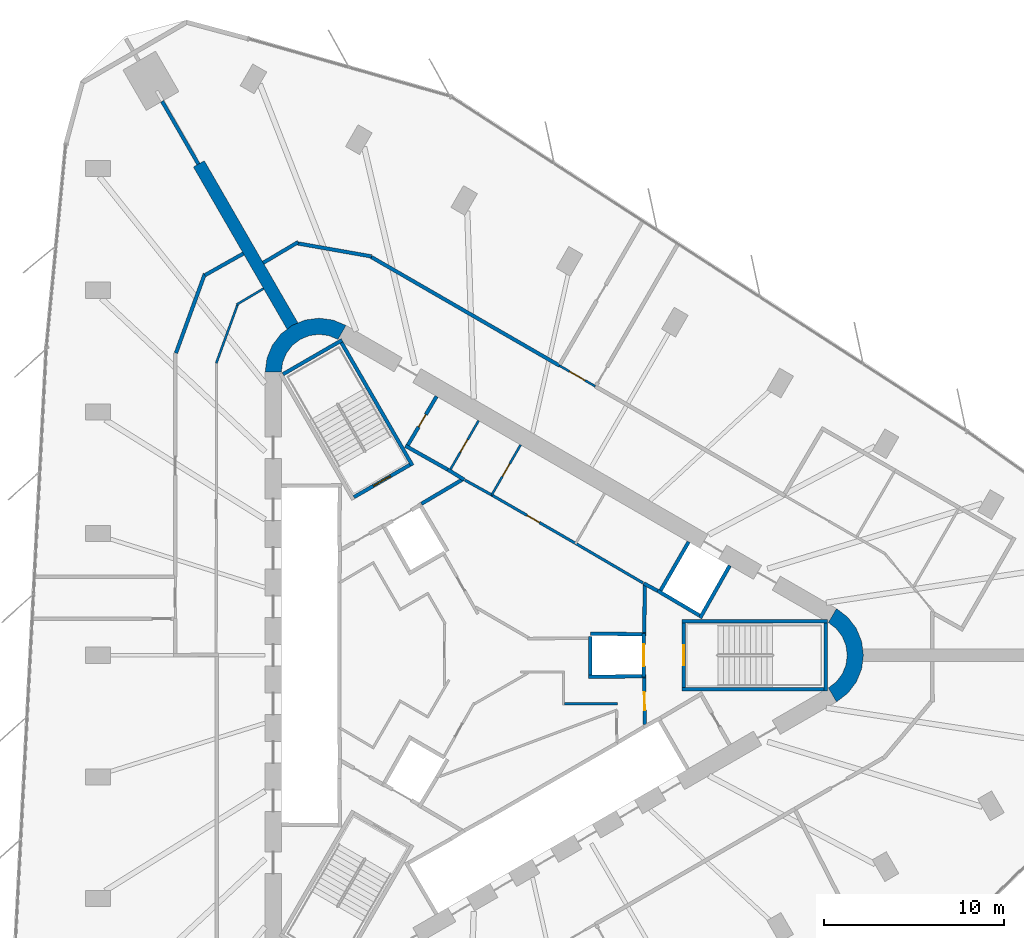
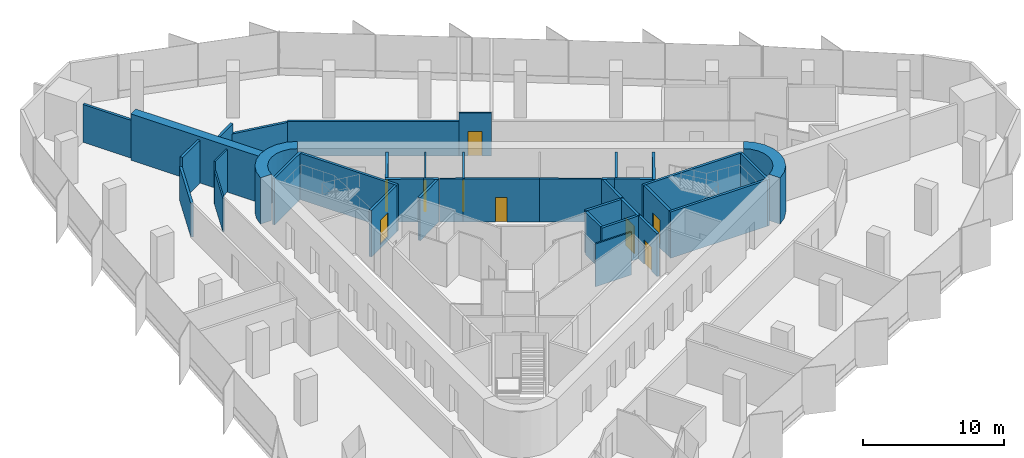
# One storey, part 11 of 14: 39 walls, 9 doors, 9 openings.
"""IFC4 building model written with IfcOpenShell, lengths in metres."""

from ifc_helpers import new_model, si_unit, direction, frame, frame_2d, origin, place, context, subcontext, project, spatial, polyline, rectangle, outline, extrude, material, layer, layer_set, type_object, element, fill, save


model = new_model("IFC4")

# Units and contexts
model_context = context("Model", 3, precision=1e-05, world=origin(), true_north=direction((0.0, 1.0)))
body_context = subcontext(model_context, "Body", "Model", "MODEL_VIEW")
ifc_project = project(units=[si_unit("LENGTHUNIT", "METRE"), si_unit("AREAUNIT", "SQUARE_METRE"), si_unit("VOLUMEUNIT", "CUBIC_METRE"), si_unit("PLANEANGLEUNIT", "RADIAN"), si_unit("MASSUNIT", "GRAM", prefix="KILO")], contexts=[model_context])

# Site, building, storey
site_placement = place(None, origin())
site = spatial("IfcSite", under=ifc_project, at=site_placement, CompositionType="ELEMENT")
building_placement = place(site_placement, origin())
building = spatial("IfcBuilding", under=site, at=building_placement, Name="Tanit Gate Tower", CompositionType="ELEMENT")
storey_placement = place(building_placement, frame((0.0, 0.0, 253.199951171875)))
storey = spatial("IfcBuildingStorey", under=building, at=storey_placement, Name="L57", CompositionType="ELEMENT", Elevation=253.199951171875)

# Walls
ifc_material_1 = material(Name="Concrete C50/60", Category="concrete")
ifc_layer_1 = layer(ifc_material_1, 0.699951171875)
ifc_layer_set_1 = layer_set([ifc_layer_1], Name="BUTTRESS FIN 700 C50/60")
wall_type_1 = type_object("IfcWallType", Name="BUTTRESS FIN 700 C50/60", PredefinedType="SHEAR", material=ifc_layer_set_1)
wall_1_placement = place(storey_placement, frame((-10.574951171875, 18.31640625, 0.0), z_axis=(0.0, 0.0, 1.0), x_axis=(-0.500010108608, 0.866019567498, 0.0)))
element("IfcWall", 1, at=wall_1_placement, inside=storey, type_object=wall_type_1, Name="BUTTRESS FIN", PredefinedType="SHEAR", context=body_context, shape_type="SweptSolid", body=[
    extrude(rectangle(XDim=10.432373046875, YDim=0.699951171875, at=frame_2d((5.21630859375, 0.0))), origin(), (0.0, 0.0, 1.0), 4.0),
])
ifc_material_2 = material(Name="Concrete C50/60", Category="concrete")
ifc_layer_2 = layer(ifc_material_2, 0.89990234375)
ifc_layer_set_2 = layer_set([ifc_layer_2], Name="CORE WALL 900 C50/60")
wall_type_2 = type_object("IfcWallType", Name="CORE WALL 900 C50/60", PredefinedType="SHEAR", material=ifc_layer_set_2)
wall_2_placement = place(storey_placement, origin())
element("IfcWall", 2, at=wall_2_placement, inside=storey, type_object=wall_type_2, Name="CORE WALL CORNER", PredefinedType="SHEAR", context=body_context, shape_type="SweptSolid", body=[
    extrude(outline(polyline([(-7.60009765625, 18.359619140625), (-8.323486328125, 18.659423828125), (-9.10009765625, 18.76171875), (-9.87646484375, 18.659423828125), (-10.60009765625, 18.359619140625), (-11.22119140625, 17.883056640625), (-11.697998046875, 17.26171875), (-11.997802734375, 16.5380859375), (-12.10009765625, 15.76171875), (-11.199951171875, 15.76171875), (-11.12841796875, 16.30517578125), (-10.918701171875, 16.811767578125), (-10.5849609375, 17.24658203125), (-10.14990234375, 17.580322265625), (-9.6435546875, 17.7900390625), (-9.10009765625, 17.86181640625), (-8.556396484375, 17.7900390625), (-8.050048828125, 17.580322265625), (-7.60009765625, 18.359619140625)])), origin(), (0.0, 0.0, 1.0), 4.0),
])
wall_3_placement = place(storey_placement, origin())
element("IfcWall", 3, at=wall_3_placement, inside=storey, type_object=wall_type_2, Name="CORE WALL CORNER", PredefinedType="SHEAR", context=body_context, shape_type="SweptSolid", body=[
    extrude(outline(polyline([(19.699951171875, -2.59814453125), (20.3212890625, -2.121337890625), (20.798095703125, -1.5), (21.097900390625, -0.776611328125), (21.199951171875, 0.0), (21.097900390625, 0.776611328125), (20.798095703125, 1.5), (20.3212890625, 2.121337890625), (19.699951171875, 2.59814453125), (19.25, 1.818603515625), (19.684814453125, 1.48486328125), (20.018798828125, 1.050048828125), (20.228515625, 0.54345703125), (20.300048828125, 0.0), (20.228515625, -0.54345703125), (20.018798828125, -1.050048828125), (19.684814453125, -1.48486328125), (19.25, -1.818603515625), (19.699951171875, -2.59814453125)])), origin(), (0.0, 0.0, 1.0), 4.0),
])
ifc_material_3 = material(Name="Fire-rated gypsum board partition")
ifc_layer_3 = layer(ifc_material_3, 0.199951171875)
ifc_layer_set_3 = layer_set([ifc_layer_3], Name="INT-WALL-COMPARTMENT")
wall_type_3 = type_object("IfcWallType", Name="INT-WALL-COMPARTMENT", PredefinedType="PARTITIONING", material=ifc_layer_set_3)
wall_4_placement = place(storey_placement, frame((8.97412109375, 3.998779296875, 0.0), z_axis=(0.0, 0.0, 1.0), x_axis=(0.880917147855, -0.473270513147, 0.0)))
element("IfcWall", 4, at=wall_4_placement, inside=storey, type_object=wall_type_3, Name="Wall Compartment W051", PredefinedType="PARTITIONING", context=body_context, shape_type="SweptSolid", body=[
    extrude(rectangle(XDim=0.8779296875, YDim=0.199951171875, at=frame_2d((0.43896484375, 0.0))), origin(), (0.0, 0.0, 1.0), 3.699951171875),
])
wall_5_placement = place(storey_placement, frame((-1.940673828125, 10.338623046875, 0.0), z_axis=(0.0, 0.0, 1.0), x_axis=(0.850216889117, -0.526432561171, 0.0)))
element("IfcWall", 5, at=wall_5_placement, inside=storey, type_object=wall_type_3, Name="Wall Compartment W056", PredefinedType="PARTITIONING", context=body_context, shape_type="SweptSolid", body=[
    extrude(rectangle(XDim=1.078369140625, YDim=0.199951171875, at=frame_2d((0.5390625, 0.0))), origin(), (0.0, 0.0, 1.0), 3.699951171875),
])
wall_6_placement = place(storey_placement, frame((-4.296142578125, 11.658935546875, 0.0), z_axis=(0.0, 0.0, 1.0), x_axis=(0.871534483978, -0.490334215854, 0.0)))
element("IfcWall", 6, at=wall_6_placement, inside=storey, type_object=wall_type_3, Name="Wall Compartment W058", PredefinedType="PARTITIONING", context=body_context, shape_type="SweptSolid", body=[
    extrude(rectangle(XDim=2.7001953125, YDim=0.199951171875, at=frame_2d((1.35009765625, 0.0))), origin(), (0.0, 0.0, 1.0), 3.699951171875),
])

# Wall, opening, door
wall_7_placement = place(storey_placement, frame((-2.557861328125, 14.409423828125, 0.0), z_axis=(0.0, 0.0, 1.0), x_axis=(-0.508018930956, -0.861345903683, 0.0)))
wall_7 = element("IfcWall", 7, at=wall_7_placement, inside=storey, type_object=wall_type_3, Name="Wall Compartment W059", PredefinedType="PARTITIONING", context=body_context, shape_type="SweptSolid", body=[
    extrude(rectangle(XDim=3.150146484375, YDim=0.199951171875, at=frame_2d((1.5751953125, 0.0))), origin(), (0.0, 0.0, 1.0), 3.699951171875),
])
opening_1_placement = place(wall_7_placement, frame((1.175048828125, 0.0, 0.0)))
opening_1 = element("IfcOpeningElement", 8, at=opening_1_placement, cuts=wall_7, Name="Opening R08-S16-16", PredefinedType="OPENING", context=body_context, shape_type="SweptSolid", body=[
    extrude(rectangle(XDim=0.800048828125, YDim=2.10009765625, at=frame_2d((0.39990234375, 1.050048828125))), frame((0.0, 0.10986328125, 0.0), z_axis=(0.0, -1.0, 0.0), x_axis=(1.0, 0.0, 0.0)), (0.0, 0.0, 1.0), 0.219970703125),
])
ifc_material_4 = material(Name="Timber door leaf", Category="wood")
door_type_1 = type_object("IfcDoorType", Name="INT-DOOR-RISER-800", OperationType="NOTDEFINED", PredefinedType="USERDEFINED", material=ifc_material_4)
door_1_placement = place(opening_1_placement, origin())
door_1 = element("IfcDoor", 9, at=door_1_placement, inside=storey, type_object=door_type_1, Name="Door R08-S16-16", ObjectType="FIRE DOOR", OperationType="SINGLE_SWING_LEFT", OverallHeight=2.10009765625, OverallWidth=0.800048828125, PredefinedType="USERDEFINED", context=body_context, shape_type="SweptSolid", body=[
    extrude(rectangle(XDim=0.800048828125, YDim=2.10009765625, at=frame_2d((0.39990234375, 1.050048828125))), frame((0.0, 0.02490234375, 0.0), z_axis=(0.0, -1.0, 0.0), x_axis=(1.0, 0.0, 0.0)), (0.0, 0.0, 1.0), 0.050048828125),
])
fill(opening_1, door_1)

# Wall
wall_8_placement = place(storey_placement, frame((9.0009765625, 1.27001953125, 0.0), z_axis=(0.0, 0.0, 1.0), x_axis=(0.01074821465, 0.999942236273, 0.0)))
element("IfcWall", 10, at=wall_8_placement, inside=storey, type_object=wall_type_3, Name="Wall Compartment W062", PredefinedType="PARTITIONING", context=body_context, shape_type="SweptSolid", body=[
    extrude(rectangle(XDim=2.725830078125, YDim=0.199951171875, at=frame_2d((1.36279296875, 0.0))), origin(), (0.0, 0.0, 1.0), 3.699951171875),
])

# Wall, opening, door
wall_9_placement = place(storey_placement, frame((9.02880859375, -3.850830078125, 0.0), z_axis=(0.0, 0.0, 1.0), x_axis=(-0.010783593937, 0.99994185536, 0.0)))
wall_9 = element("IfcWall", 11, at=wall_9_placement, inside=storey, type_object=wall_type_3, Name="Wall Compartment W063", PredefinedType="PARTITIONING", context=body_context, shape_type="SweptSolid", body=[
    extrude(rectangle(XDim=2.5810546875, YDim=0.199951171875, at=frame_2d((1.29052734375, 0.0))), origin(), (0.0, 0.0, 1.0), 3.699951171875),
])
opening_2_placement = place(wall_9_placement, frame((0.79052734375, 0.0, 0.0)))
opening_2 = element("IfcOpeningElement", 12, at=opening_2_placement, cuts=wall_9, Name="Opening F10-S16-02", PredefinedType="OPENING", context=body_context, shape_type="SweptSolid", body=[
    extrude(rectangle(XDim=1.0, YDim=2.10009765625, at=frame_2d((0.5, 1.050048828125))), frame((0.0, 0.10986328125, 0.0), z_axis=(0.0, -1.0, 0.0), x_axis=(1.0, 0.0, 0.0)), (0.0, 0.0, 1.0), 0.219970703125),
])
ifc_material_5 = material(Name="Fire-rated steel door leaf", Category="steel")
door_type_2 = type_object("IfcDoorType", Name="INT-DOOR-FIRE-1000", OperationType="NOTDEFINED", PredefinedType="USERDEFINED", material=ifc_material_5)
door_2_placement = place(opening_2_placement, origin())
door_2 = element("IfcDoor", 13, at=door_2_placement, inside=storey, type_object=door_type_2, Name="Door F10-S16-02", ObjectType="FIRE DOOR", OperationType="SINGLE_SWING_RIGHT", OverallHeight=2.10009765625, OverallWidth=1.0, PredefinedType="USERDEFINED", context=body_context, shape_type="SweptSolid", body=[
    extrude(rectangle(XDim=1.0, YDim=2.10009765625, at=frame_2d((0.5, 1.050048828125))), frame((0.0, 0.02490234375, 0.0), z_axis=(0.0, -1.0, 0.0), x_axis=(1.0, 0.0, 0.0)), (0.0, 0.0, 1.0), 0.050048828125),
])
fill(opening_2, door_2)

# Walls
wall_10_placement = place(storey_placement, frame((-1.0556640625, 9.81787109375, 0.0), z_axis=(0.0, 0.0, 1.0), x_axis=(-0.860599924646, -0.509281621207, 0.0)))
element("IfcWall", 14, at=wall_10_placement, inside=storey, type_object=wall_type_3, Name="Wall Compartment W064", PredefinedType="PARTITIONING", context=body_context, shape_type="SweptSolid", body=[
    extrude(rectangle(XDim=2.724853515625, YDim=0.199951171875, at=frame_2d((1.3623046875, 0.0))), origin(), (0.0, 0.0, 1.0), 3.699951171875),
])
wall_11_placement = place(storey_placement, frame((-15.456298828125, 21.238525390625, 0.0), z_axis=(0.0, 0.0, 1.0), x_axis=(-0.34205546997, -0.939679762187, 0.0)))
element("IfcWall", 15, at=wall_11_placement, inside=storey, type_object=wall_type_3, Name="Wall Compartment W094", PredefinedType="PARTITIONING", context=body_context, shape_type="SweptSolid", body=[
    extrude(rectangle(XDim=4.705810546875, YDim=0.199951171875, at=frame_2d((2.35302734375, 0.0))), origin(), (0.0, 0.0, 1.0), 2.880126953125),
])
wall_12_placement = place(storey_placement, frame((-13.31298828125, 22.35888671875, 0.0), z_axis=(0.0, 0.0, 1.0), x_axis=(-0.87121710687, -0.490897904555, 0.0)))
element("IfcWall", 16, at=wall_12_placement, inside=storey, type_object=wall_type_3, Name="Wall Compartment W095", PredefinedType="PARTITIONING", context=body_context, shape_type="SweptSolid", body=[
    extrude(rectangle(XDim=2.457275390625, YDim=0.199951171875, at=frame_2d((1.228515625, 0.0))), origin(), (0.0, 0.0, 1.0), 3.699951171875),
])
wall_13_placement = place(storey_placement, frame((-10.26513671875, 22.995849609375, 0.0), z_axis=(0.0, 0.0, 1.0), x_axis=(-0.859934823121, -0.510403859687, 0.0)))
element("IfcWall", 17, at=wall_13_placement, inside=storey, type_object=wall_type_3, Name="Wall Compartment W100", PredefinedType="PARTITIONING", context=body_context, shape_type="SweptSolid", body=[
    extrude(rectangle(XDim=2.25830078125, YDim=0.199951171875, at=frame_2d((1.129150390625, 0.0))), origin(), (0.0, 0.0, 1.0), 3.699951171875),
])
wall_14_placement = place(storey_placement, frame((-6.18115234375, 22.19873046875, 0.0), z_axis=(0.0, 0.0, 1.0), x_axis=(-0.984807544765, 0.17364935869, 0.0)))
element("IfcWall", 18, at=wall_14_placement, inside=storey, type_object=wall_type_3, Name="Wall Compartment W101", PredefinedType="PARTITIONING", context=body_context, shape_type="SweptSolid", body=[
    extrude(rectangle(XDim=4.199462890625, YDim=0.199951171875, at=frame_2d((2.099609375, 0.0))), origin(), (0.0, 0.0, 1.0), 2.880126953125),
])
wall_15_placement = place(storey_placement, frame((4.28271484375, 16.117919921875, 0.0), z_axis=(0.0, 0.0, 1.0), x_axis=(-0.866016186489, 0.500015964484, 0.0)))
element("IfcWall", 19, at=wall_15_placement, inside=storey, type_object=wall_type_3, Name="Wall Compartment W102", PredefinedType="PARTITIONING", context=body_context, shape_type="SweptSolid", body=[
    extrude(rectangle(XDim=12.09619140625, YDim=0.199951171875, at=frame_2d((6.048095703125, 0.0))), origin(), (0.0, 0.0, 1.0), 2.97998046875),
])
wall_16_placement = place(storey_placement, frame((-17.8359375, 30.832763671875, 0.0), z_axis=(0.0, 0.0, 1.0), x_axis=(0.500008591458, -0.866020443447, 0.0)))
element("IfcWall", 20, at=wall_16_placement, inside=storey, type_object=wall_type_3, Name="Wall Compartment W125", PredefinedType="PARTITIONING", context=body_context, shape_type="SweptSolid", body=[
    extrude(rectangle(XDim=4.03759765625, YDim=0.199951171875, at=frame_2d((2.018798828125, 0.0))), origin(), (0.0, 0.0, 1.0), 3.27001953125),
])

# Wall, opening, door
ifc_material_6 = material(Name="Gypsum board partition")
ifc_layer_4 = layer(ifc_material_6, 0.1201171875)
ifc_layer_set_4 = layer_set([ifc_layer_4], Name="INT-WALL-PARTITION")
wall_type_4 = type_object("IfcWallType", Name="INT-WALL-PARTITION", PredefinedType="PARTITIONING", material=ifc_layer_set_4)
wall_17_placement = place(storey_placement, frame((2.11865234375, 11.70947265625, 0.0), z_axis=(0.0, 0.0, 1.0), x_axis=(-0.500017246033, -0.866015446554, 0.0)))
wall_17 = element("IfcWall", 21, at=wall_17_placement, inside=storey, type_object=wall_type_4, Name="Wall Partition W053", PredefinedType="PARTITIONING", context=body_context, shape_type="SweptSolid", body=[
    extrude(rectangle(XDim=3.25, YDim=0.1201171875, at=frame_2d((1.625, 0.0))), origin(), (0.0, 0.0, 1.0), 3.699951171875),
])
opening_3_placement = place(wall_17_placement, frame((1.22509765625, 0.0, 0.0)))
opening_3 = element("IfcOpeningElement", 22, at=opening_3_placement, cuts=wall_17, Name="Opening R08-S16-15", PredefinedType="OPENING", context=body_context, shape_type="SweptSolid", body=[
    extrude(rectangle(XDim=0.800048828125, YDim=2.10009765625, at=frame_2d((0.39990234375, 1.050048828125))), frame((0.0, 0.070068359375, 0.0), z_axis=(0.0, -1.0, 0.0), x_axis=(1.0, 0.0, 0.0)), (0.0, 0.0, 1.0), 0.14013671875),
])
door_3_placement = place(opening_3_placement, origin())
door_3 = element("IfcDoor", 23, at=door_3_placement, inside=storey, type_object=door_type_1, Name="Door R08-S16-15", ObjectType="FIRE DOOR", OperationType="SINGLE_SWING_LEFT", OverallHeight=2.10009765625, OverallWidth=0.800048828125, PredefinedType="USERDEFINED", context=body_context, shape_type="SweptSolid", body=[
    extrude(rectangle(XDim=0.800048828125, YDim=2.10009765625, at=frame_2d((0.39990234375, 1.050048828125))), frame((0.0, 0.02490234375, 0.0), z_axis=(0.0, -1.0, 0.0), x_axis=(1.0, 0.0, 0.0)), (0.0, 0.0, 1.0), 0.050048828125),
])
fill(opening_3, door_3)

wall_18_placement = place(storey_placement, frame((-0.2197265625, 13.0595703125, 0.0), z_axis=(0.0, 0.0, 1.0), x_axis=(-0.499984717929, -0.866034226713, 0.0)))
wall_18 = element("IfcWall", 24, at=wall_18_placement, inside=storey, type_object=wall_type_4, Name="Wall Partition W055", PredefinedType="PARTITIONING", context=body_context, shape_type="SweptSolid", body=[
    extrude(rectangle(XDim=3.25, YDim=0.1201171875, at=frame_2d((1.625, 0.0))), origin(), (0.0, 0.0, 1.0), 3.699951171875),
])
opening_4_placement = place(wall_18_placement, frame((1.22509765625, 0.0, 0.0)))
opening_4 = element("IfcOpeningElement", 25, at=opening_4_placement, cuts=wall_18, Name="Opening R08-S16-37", PredefinedType="OPENING", context=body_context, shape_type="SweptSolid", body=[
    extrude(rectangle(XDim=0.800048828125, YDim=2.10009765625, at=frame_2d((0.39990234375, 1.050048828125))), frame((0.0, 0.070068359375, 0.0), z_axis=(0.0, -1.0, 0.0), x_axis=(1.0, 0.0, 0.0)), (0.0, 0.0, 1.0), 0.14013671875),
])
door_4_placement = place(opening_4_placement, origin())
door_4 = element("IfcDoor", 26, at=door_4_placement, inside=storey, type_object=door_type_1, Name="Door R08-S16-37", ObjectType="FIRE DOOR", OperationType="SINGLE_SWING_LEFT", OverallHeight=2.10009765625, OverallWidth=0.800048828125, PredefinedType="USERDEFINED", context=body_context, shape_type="SweptSolid", body=[
    extrude(rectangle(XDim=0.800048828125, YDim=2.10009765625, at=frame_2d((0.39990234375, 1.050048828125))), frame((0.0, 0.02490234375, 0.0), z_axis=(0.0, -1.0, 0.0), x_axis=(1.0, 0.0, 0.0)), (0.0, 0.0, 1.0), 0.050048828125),
])
fill(opening_4, door_4)

# Walls
wall_19_placement = place(storey_placement, frame((7.5, -2.699951171875, 0.0), z_axis=(0.0, 0.0, 1.0), x_axis=(-1.0, 0.0, 0.0)))
element("IfcWall", 27, at=wall_19_placement, inside=storey, type_object=wall_type_4, Name="Wall Partition W076", PredefinedType="PARTITIONING", context=body_context, shape_type="SweptSolid", body=[
    extrude(rectangle(XDim=2.93994140625, YDim=0.1201171875, at=frame_2d((1.469970703125, 0.0))), origin(), (0.0, 0.0, 1.0), 3.699951171875),
])
wall_20_placement = place(storey_placement, frame((-12.188720703125, 20.411376953125, 0.0), z_axis=(0.0, 0.0, 1.0), x_axis=(-0.858492721014, -0.51282574815, 0.0)))
element("IfcWall", 28, at=wall_20_placement, inside=storey, type_object=wall_type_4, Name="Wall Partition W087", PredefinedType="PARTITIONING", context=body_context, shape_type="SweptSolid", body=[
    extrude(rectangle(XDim=1.742431640625, YDim=0.1201171875, at=frame_2d((0.87109375, 0.0))), origin(), (0.0, 0.0, 1.0), 3.699951171875),
])
wall_21_placement = place(storey_placement, frame((-13.630615234375, 19.529541015625, 0.0), z_axis=(0.0, 0.0, 1.0), x_axis=(-0.342069878069, -0.939674517329, 0.0)))
element("IfcWall", 29, at=wall_21_placement, inside=storey, type_object=wall_type_4, Name="Wall Partition W088", PredefinedType="PARTITIONING", context=body_context, shape_type="SweptSolid", body=[
    extrude(rectangle(XDim=3.478759765625, YDim=0.1201171875, at=frame_2d((1.7392578125, 0.0))), origin(), (0.0, 0.0, 1.0), 2.880126953125),
])

# Wall, opening, door
wall_22_placement = place(storey_placement, frame((6.274658203125, 14.968017578125, 0.0), z_axis=(0.0, 0.0, 1.0), x_axis=(-0.866053019151, 0.499952165731, 0.0)))
wall_22 = element("IfcWall", 30, at=wall_22_placement, inside=storey, type_object=wall_type_4, Name="Wall Partition W099", PredefinedType="PARTITIONING", context=body_context, shape_type="SweptSolid", body=[
    extrude(rectangle(XDim=2.300048828125, YDim=0.1201171875, at=frame_2d((1.14990234375, 0.0))), origin(), (0.0, 0.0, 1.0), 3.699951171875),
])
opening_5_placement = place(wall_22_placement, frame((0.64990234375, 0.0, 0.0)))
opening_5 = element("IfcOpeningElement", 31, at=opening_5_placement, cuts=wall_22, Name="Opening D10-S16-21", PredefinedType="OPENING", context=body_context, shape_type="SweptSolid", body=[
    extrude(rectangle(XDim=1.0, YDim=2.10009765625, at=frame_2d((0.5, 1.050048828125))), frame((0.0, 0.070068359375, 0.0), z_axis=(0.0, -1.0, 0.0), x_axis=(1.0, 0.0, 0.0)), (0.0, 0.0, 1.0), 0.14013671875),
])
ifc_material_7 = material(Name="Timber door leaf", Category="wood")
door_type_3 = type_object("IfcDoorType", Name="INT-DOOR-SINGLE-1000", OperationType="NOTDEFINED", PredefinedType="NOTDEFINED", material=ifc_material_7)
door_5_placement = place(opening_5_placement, origin())
door_5 = element("IfcDoor", 32, at=door_5_placement, inside=storey, type_object=door_type_3, Name="Door D10-S16-21", OperationType="SINGLE_SWING_RIGHT", OverallHeight=2.10009765625, OverallWidth=1.0, PredefinedType="NOTDEFINED", context=body_context, shape_type="SweptSolid", body=[
    extrude(rectangle(XDim=1.0, YDim=2.10009765625, at=frame_2d((0.5, 1.050048828125))), frame((0.0, 0.02490234375, 0.0), z_axis=(0.0, -1.0, 0.0), x_axis=(1.0, 0.0, 0.0)), (0.0, 0.0, 1.0), 0.050048828125),
])
fill(opening_5, door_5)

# Wall
ifc_material_8 = material(Name="Fire-rated gypsum board partition")
ifc_layer_5 = layer(ifc_material_8, 0.14990234375)
ifc_layer_set_5 = layer_set([ifc_layer_5], Name="INT-WALL-RISER")
wall_type_5 = type_object("IfcWallType", Name="INT-WALL-RISER", PredefinedType="PLUMBINGWALL", material=ifc_layer_set_5)
wall_23_placement = place(storey_placement, frame((8.9306640625, 4.024658203125, 0.0), z_axis=(0.0, 0.0, 1.0), x_axis=(-0.862666884027, 0.505772525157, 0.0)))
element("IfcWall", 33, at=wall_23_placement, inside=storey, type_object=wall_type_5, Name="Wall Riser W052", PredefinedType="PLUMBINGWALL", context=body_context, shape_type="SweptSolid", body=[
    extrude(rectangle(XDim=4.371826171875, YDim=0.14990234375, at=frame_2d((2.18603515625, 0.0))), origin(), (0.0, 0.0, 1.0), 3.699951171875),
])

# Wall, opening, door
wall_24_placement = place(storey_placement, frame((5.1591796875, 6.23583984375, 0.0), z_axis=(0.0, 0.0, 1.0), x_axis=(-0.866028230842, 0.499995103361, 0.0)))
wall_24 = element("IfcWall", 34, at=wall_24_placement, inside=storey, type_object=wall_type_5, Name="Wall Riser W054", PredefinedType="PLUMBINGWALL", context=body_context, shape_type="SweptSolid", body=[
    extrude(rectangle(XDim=5.39990234375, YDim=0.14990234375, at=frame_2d((2.699951171875, 0.0))), origin(), (0.0, 0.0, 1.0), 3.699951171875),
])
opening_6_placement = place(wall_24_placement, frame((2.300048828125, 0.0, 0.0)))
opening_6 = element("IfcOpeningElement", 35, at=opening_6_placement, cuts=wall_24, Name="Opening R08-S16-18", PredefinedType="OPENING", context=body_context, shape_type="SweptSolid", body=[
    extrude(rectangle(XDim=0.800048828125, YDim=2.10009765625, at=frame_2d((0.39990234375, 1.050048828125))), frame((0.0, 0.0849609375, 0.0), z_axis=(0.0, -1.0, 0.0), x_axis=(1.0, 0.0, 0.0)), (0.0, 0.0, 1.0), 0.169921875),
])
door_6_placement = place(opening_6_placement, origin())
door_6 = element("IfcDoor", 36, at=door_6_placement, inside=storey, type_object=door_type_1, Name="Door R08-S16-18", ObjectType="FIRE DOOR", OperationType="SINGLE_SWING_RIGHT", OverallHeight=2.10009765625, OverallWidth=0.800048828125, PredefinedType="USERDEFINED", context=body_context, shape_type="SweptSolid", body=[
    extrude(rectangle(XDim=0.800048828125, YDim=2.10009765625, at=frame_2d((0.39990234375, 1.050048828125))), frame((0.0, 0.02490234375, 0.0), z_axis=(0.0, -1.0, 0.0), x_axis=(1.0, 0.0, 0.0)), (0.0, 0.0, 1.0), 0.050048828125),
])
fill(opening_6, door_6)

# Walls
wall_25_placement = place(storey_placement, frame((0.482666015625, 8.935791015625, 0.0), z_axis=(0.0, 0.0, 1.0), x_axis=(-0.874315691004, 0.485357674776, 0.0)))
element("IfcWall", 37, at=wall_25_placement, inside=storey, type_object=wall_type_5, Name="Wall Riser W057", PredefinedType="PLUMBINGWALL", context=body_context, shape_type="SweptSolid", body=[
    extrude(rectangle(XDim=1.67138671875, YDim=0.14990234375, at=frame_2d((0.835693359375, 0.0))), origin(), (0.0, 0.0, 1.0), 3.699951171875),
])
ifc_material_9 = material(Name="Gypsum shaft wall system")
ifc_layer_6 = layer(ifc_material_9, 0.199951171875)
ifc_layer_set_6 = layer_set([ifc_layer_6], Name="INT-WALL-SHAFT")
wall_type_6 = type_object("IfcWallType", Name="INT-WALL-SHAFT", PredefinedType="PLUMBINGWALL", material=ifc_layer_set_6)
wall_26_placement = place(storey_placement, frame((9.8466796875, 3.494873046875, 0.0), z_axis=(0.0, 0.0, 1.0), x_axis=(0.499984717929, 0.866034226713, 0.0)))
element("IfcWall", 38, at=wall_26_placement, inside=storey, type_object=wall_type_6, Name="Wall Shaft W012", PredefinedType="PLUMBINGWALL", context=body_context, shape_type="SweptSolid", body=[
    extrude(rectangle(XDim=3.25, YDim=0.199951171875, at=frame_2d((1.625, 0.0))), origin(), (0.0, 0.0, 1.0), 3.699951171875),
])
wall_27_placement = place(storey_placement, frame((12.10986328125, 2.07275390625, 0.0), z_axis=(0.0, 0.0, 1.0), x_axis=(0.49196600604, 0.870614408852, 0.0)))
element("IfcWall", 39, at=wall_27_placement, inside=storey, type_object=wall_type_6, Name="Wall Shaft W013", PredefinedType="PLUMBINGWALL", context=body_context, shape_type="SweptSolid", body=[
    extrude(rectangle(XDim=3.35009765625, YDim=0.199951171875, at=frame_2d((1.675048828125, 0.0))), origin(), (0.0, 0.0, 1.0), 3.699951171875),
])
wall_28_placement = place(storey_placement, frame((12.072998046875, 2.2109375, 0.0), z_axis=(0.0, 0.0, 1.0), x_axis=(-0.860414880418, 0.509594185166, 0.0)))
element("IfcWall", 40, at=wall_28_placement, inside=storey, type_object=wall_type_6, Name="Wall Shaft W014", PredefinedType="PLUMBINGWALL", context=body_context, shape_type="SweptSolid", body=[
    extrude(rectangle(XDim=2.7001953125, YDim=0.199951171875, at=frame_2d((1.35009765625, 0.0))), origin(), (0.0, 0.0, 1.0), 3.699951171875),
])

# Wall, opening, door
wall_29_placement = place(storey_placement, frame((8.969970703125, 1.199951171875, 0.0), z_axis=(0.0, 0.0, 1.0), x_axis=(0.0, -1.0, 0.0)))
wall_29 = element("IfcWall", 41, at=wall_29_placement, inside=storey, type_object=wall_type_6, Name="Wall Shaft W029", PredefinedType="PLUMBINGWALL", context=body_context, shape_type="SweptSolid", body=[
    extrude(rectangle(XDim=2.39990234375, YDim=0.199951171875, at=frame_2d((1.199951171875, 0.0))), origin(), (0.0, 0.0, 1.0), 3.699951171875),
])
opening_7_placement = place(wall_29_placement, frame((0.60009765625, 0.0, 0.0)))
opening_7 = element("IfcOpeningElement", 42, at=opening_7_placement, cuts=wall_29, Name="Opening LDFL1-L57", PredefinedType="OPENING", context=body_context, shape_type="SweptSolid", body=[
    extrude(rectangle(XDim=1.199951171875, YDim=2.39990234375, at=frame_2d((0.60009765625, 1.199951171875))), frame((0.0, 0.10986328125, 0.0), z_axis=(0.0, -1.0, 0.0), x_axis=(1.0, 0.0, 0.0)), (0.0, 0.0, 1.0), 0.219970703125),
])
ifc_material_10 = material(Name="Stainless steel sliding door leaf", Category="steel")
door_type_4 = type_object("IfcDoorType", Name="INT-DOOR-LANDING-1200", OperationType="NOTDEFINED", PredefinedType="USERDEFINED", material=ifc_material_10)
door_7_placement = place(opening_7_placement, origin())
door_7 = element("IfcDoor", 43, at=door_7_placement, inside=storey, type_object=door_type_4, Name="Door LDFL1-L57", ObjectType="LANDING DOOR", OperationType="SLIDING_TO_LEFT", OverallHeight=2.39990234375, OverallWidth=1.199951171875, PredefinedType="USERDEFINED", context=body_context, shape_type="SweptSolid", body=[
    extrude(rectangle(XDim=1.199951171875, YDim=2.39990234375, at=frame_2d((0.60009765625, 1.199951171875))), frame((0.0, 0.02490234375, 0.0), z_axis=(0.0, -1.0, 0.0), x_axis=(1.0, 0.0, 0.0)), (0.0, 0.0, 1.0), 0.050048828125),
])
fill(opening_7, door_7)

# Walls
wall_30_placement = place(storey_placement, frame((6.0, 1.199951171875, 0.0), z_axis=(0.0, 0.0, 1.0), x_axis=(0.999949988, -0.010001074852, 0.0)))
element("IfcWall", 44, at=wall_30_placement, inside=storey, type_object=wall_type_6, Name="Wall Shaft W030", PredefinedType="PLUMBINGWALL", context=body_context, shape_type="SweptSolid", body=[
    extrude(rectangle(XDim=3.100341796875, YDim=0.199951171875, at=frame_2d((1.55029296875, 0.0))), origin(), (0.0, 0.0, 1.0), 3.699951171875),
])
wall_31_placement = place(storey_placement, frame((5.89990234375, -1.200927734375, 0.0), z_axis=(0.0, 0.0, 1.0), x_axis=(0.999950064753, 0.009993397809, 0.0)))
element("IfcWall", 45, at=wall_31_placement, inside=storey, type_object=wall_type_6, Name="Wall Shaft W031", PredefinedType="PLUMBINGWALL", context=body_context, shape_type="SweptSolid", body=[
    extrude(rectangle(XDim=3.200439453125, YDim=0.199951171875, at=frame_2d((1.60009765625, 0.0))), origin(), (0.0, 0.0, 1.0), 3.699951171875),
])
wall_32_placement = place(storey_placement, frame((6.0, -1.10009765625, 0.0), z_axis=(0.0, 0.0, 1.0), x_axis=(0.0, 1.0, 0.0)))
element("IfcWall", 46, at=wall_32_placement, inside=storey, type_object=wall_type_6, Name="Wall Shaft W032", PredefinedType="PLUMBINGWALL", context=body_context, shape_type="SweptSolid", body=[
    extrude(rectangle(XDim=2.129638671875, YDim=0.199951171875, at=frame_2d((1.06494140625, 0.0))), origin(), (0.0, 0.0, 1.0), 3.699951171875),
])
ifc_material_11 = material(Name="Concrete C40/50", Category="concrete")
ifc_layer_7 = layer(ifc_material_11, 0.199951171875)
ifc_layer_set_7 = layer_set([ifc_layer_7], Name="INT-WALL-STAIR")
wall_type_7 = type_object("IfcWallType", Name="INT-WALL-STAIR", PredefinedType="SHEAR", material=ifc_layer_set_7)
wall_33_placement = place(storey_placement, frame((19.199951171875, 1.89990234375, -0.300048828125), z_axis=(0.0, 0.0, 1.0), x_axis=(-1.0, 0.0, 0.0)))
element("IfcWall", 47, at=wall_33_placement, inside=storey, type_object=wall_type_7, Name="Wall Stair W025", PredefinedType="SHEAR", context=body_context, shape_type="SweptSolid", body=[
    extrude(rectangle(XDim=8.099853515625, YDim=0.199951171875, at=frame_2d((4.0498046875, 0.0))), origin(), (0.0, 0.0, 1.0), 4.0),
])
wall_34_placement = place(storey_placement, frame((19.10009765625, -2.0, -0.300048828125), z_axis=(0.0, 0.0, 1.0), x_axis=(0.0, 1.0, 0.0)))
element("IfcWall", 48, at=wall_34_placement, inside=storey, type_object=wall_type_7, Name="Wall Stair W026", PredefinedType="SHEAR", context=body_context, shape_type="SweptSolid", body=[
    extrude(rectangle(XDim=3.800048828125, YDim=0.199951171875, at=frame_2d((1.89990234375, 0.0))), origin(), (0.0, 0.0, 1.0), 4.0),
])
wall_35_placement = place(storey_placement, frame((11.10009765625, -1.89990234375, -0.300048828125), z_axis=(0.0, 0.0, 1.0), x_axis=(1.0, 0.0, 0.0)))
element("IfcWall", 49, at=wall_35_placement, inside=storey, type_object=wall_type_7, Name="Wall Stair W027", PredefinedType="SHEAR", context=body_context, shape_type="SweptSolid", body=[
    extrude(rectangle(XDim=7.89990234375, YDim=0.199951171875, at=frame_2d((3.949951171875, 0.0))), origin(), (0.0, 0.0, 1.0), 4.0),
])

# Wall, opening, door
wall_36_placement = place(storey_placement, frame((11.199951171875, -1.800048828125, -0.300048828125), z_axis=(0.0, 0.0, 1.0), x_axis=(0.0, 1.0, 0.0)))
wall_36 = element("IfcWall", 50, at=wall_36_placement, inside=storey, type_object=wall_type_7, Name="Wall Stair W028", PredefinedType="SHEAR", context=body_context, shape_type="SweptSolid", body=[
    extrude(rectangle(XDim=3.60009765625, YDim=0.199951171875, at=frame_2d((1.800048828125, 0.0))), origin(), (0.0, 0.0, 1.0), 4.0),
])
opening_8_placement = place(wall_36_placement, frame((1.25, 0.0, 0.300048828125)))
opening_8 = element("IfcOpeningElement", 51, at=opening_8_placement, cuts=wall_36, Name="Opening S11-S16-01", PredefinedType="OPENING", context=body_context, shape_type="SweptSolid", body=[
    extrude(rectangle(XDim=1.10009765625, YDim=2.10009765625, at=frame_2d((0.550048828125, 1.050048828125))), frame((0.0, 0.10986328125, 0.0), z_axis=(0.0, -1.0, 0.0), x_axis=(1.0, 0.0, 0.0)), (0.0, 0.0, 1.0), 0.219970703125),
])
ifc_material_12 = material(Name="Timber door leaf", Category="wood")
door_type_5 = type_object("IfcDoorType", Name="INT-DOOR-STAIR-1100", OperationType="NOTDEFINED", PredefinedType="USERDEFINED", material=ifc_material_12)
door_8_placement = place(opening_8_placement, origin())
door_8 = element("IfcDoor", 52, at=door_8_placement, inside=storey, type_object=door_type_5, Name="Door S11-S16-01", ObjectType="FIRE DOOR", OperationType="SINGLE_SWING_LEFT", OverallHeight=2.10009765625, OverallWidth=1.10009765625, PredefinedType="USERDEFINED", context=body_context, shape_type="SweptSolid", body=[
    extrude(rectangle(XDim=1.10009765625, YDim=2.10009765625, at=frame_2d((0.550048828125, 1.050048828125))), frame((0.0, 0.02490234375, 0.0), z_axis=(0.0, -1.0, 0.0), x_axis=(1.0, 0.0, 0.0)), (0.0, 0.0, 1.0), 0.050048828125),
])
fill(opening_8, door_8)

# Walls
wall_37_placement = place(storey_placement, frame((-7.81787109375, 17.541015625, -0.300048828125), z_axis=(0.0, 0.0, 1.0), x_axis=(-0.866044365799, -0.499967155389, 0.0)))
element("IfcWall", 53, at=wall_37_placement, inside=storey, type_object=wall_type_7, Name="Wall Stair W034", PredefinedType="SHEAR", context=body_context, shape_type="SweptSolid", body=[
    extrude(rectangle(XDim=3.800048828125, YDim=0.199951171875, at=frame_2d((1.89990234375, 0.0))), origin(), (0.0, 0.0, 1.0), 4.0),
])
wall_38_placement = place(storey_placement, frame((-7.8544921875, 17.404541015625, -0.300048828125), z_axis=(0.0, 0.0, 1.0), x_axis=(0.499997992926, -0.866026562566, 0.0)))
element("IfcWall", 54, at=wall_38_placement, inside=storey, type_object=wall_type_7, Name="Wall Stair W035", PredefinedType="SHEAR", context=body_context, shape_type="SweptSolid", body=[
    extrude(rectangle(XDim=7.89990234375, YDim=0.199951171875, at=frame_2d((3.949951171875, 0.0))), origin(), (0.0, 0.0, 1.0), 4.0),
])

# Wall, opening, door
wall_39_placement = place(storey_placement, frame((-7.158935546875, 8.799560546875, -0.300048828125), z_axis=(0.0, 0.0, 1.0), x_axis=(0.866047807691, 0.499961193289, 0.0)))
wall_39 = element("IfcWall", 55, at=wall_39_placement, inside=storey, type_object=wall_type_7, Name="Wall Stair W036", PredefinedType="SHEAR", context=body_context, shape_type="SweptSolid", body=[
    extrude(rectangle(XDim=3.599853515625, YDim=0.199951171875, at=frame_2d((1.7998046875, 0.0))), origin(), (0.0, 0.0, 1.0), 4.0),
])
opening_9_placement = place(wall_39_placement, frame((1.25, 0.0, 0.300048828125)))
opening_9 = element("IfcOpeningElement", 56, at=opening_9_placement, cuts=wall_39, Name="Opening S11-S16-04", PredefinedType="OPENING", context=body_context, shape_type="SweptSolid", body=[
    extrude(rectangle(XDim=1.10009765625, YDim=2.10009765625, at=frame_2d((0.550048828125, 1.050048828125))), frame((0.0, 0.10986328125, 0.0), z_axis=(0.0, -1.0, 0.0), x_axis=(1.0, 0.0, 0.0)), (0.0, 0.0, 1.0), 0.219970703125),
])
door_9_placement = place(opening_9_placement, origin())
door_9 = element("IfcDoor", 57, at=door_9_placement, inside=storey, type_object=door_type_5, Name="Door S11-S16-04", ObjectType="FIRE DOOR", OperationType="SINGLE_SWING_LEFT", OverallHeight=2.10009765625, OverallWidth=1.10009765625, PredefinedType="USERDEFINED", context=body_context, shape_type="SweptSolid", body=[
    extrude(rectangle(XDim=1.10009765625, YDim=2.10009765625, at=frame_2d((0.550048828125, 1.050048828125))), frame((0.0, 0.02490234375, 0.0), z_axis=(0.0, -1.0, 0.0), x_axis=(1.0, 0.0, 0.0)), (0.0, 0.0, 1.0), 0.050048828125),
])
fill(opening_9, door_9)

save(model, "model.ifc")
